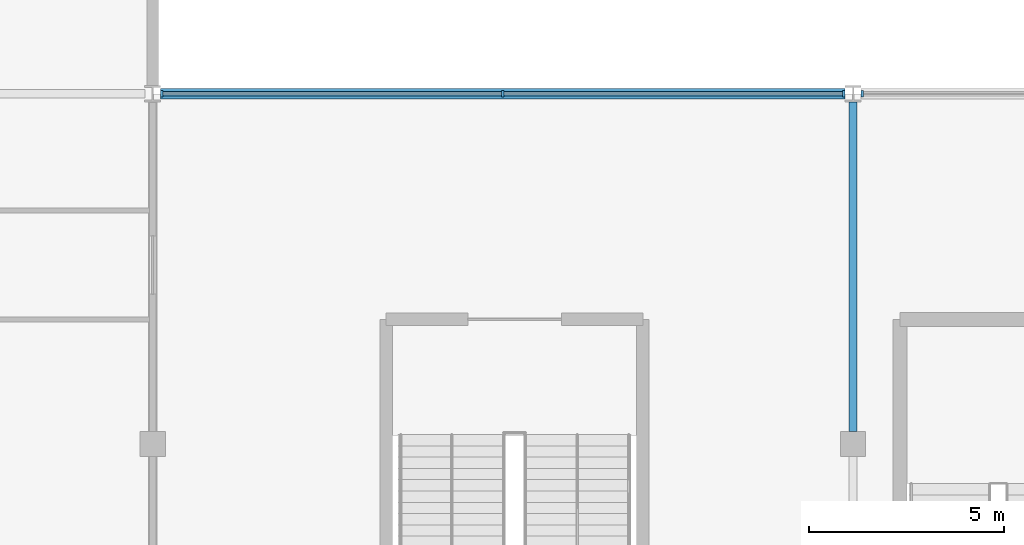
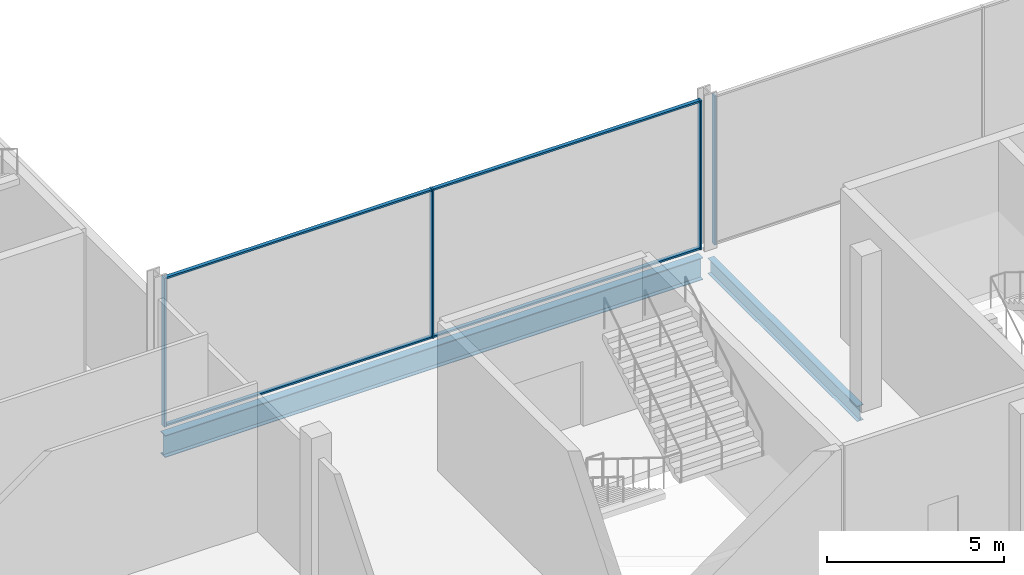
# One storey, part 17 of 111: 8 members, 2 beams, 2 elements without a shape of their own.
"""IFC4 building model written with IfcOpenShell, lengths in metres."""

import ifcopenshell
import ifcopenshell.guid

model = None  # the IFC model being written
_history = None  # IfcOwnerHistory: only IFC2X3 demands one
_inside = {}  # id of a spatial element -> (the spatial element, [elements in it])
_under = {}  # id of a project, library or spatial element -> (it, [spatial elements below it])
_declared = {}  # id of a project -> (the project, [libraries it declares])
_typed = {}  # id of a type object -> (the type object, [elements of that type])
_made_of = {}  # id of a material, layer set ... -> (it, [elements and type objects made of it])


def new_model(schema):
    """Start an empty IFC model of exactly this schema.

    Asked for "IFC4X3", IfcOpenShell would pick the latest addendum, in which some entities
    have other attributes; the version numbers below select the first issue.
    IFC2X3 requires an IfcOwnerHistory on every rooted entity: one is made here for all.
    """
    global model, _history
    if schema == "IFC4X3":
        model = ifcopenshell.file(schema_version=(4, 3, 0, 0))
    else:
        model = ifcopenshell.file(schema=schema)
    _inside.clear()
    _under.clear()
    _declared.clear()
    _typed.clear()
    _made_of.clear()
    _history = None
    if model.schema == "IFC2X3":
        org = make("IfcOrganization", Name="unknown")
        user = make(
            "IfcPersonAndOrganization",
            ThePerson=make("IfcPerson", FamilyName="unknown"),
            TheOrganization=org,
        )
        app = make(
            "IfcApplication",
            ApplicationDeveloper=org,
            Version="unknown",
            ApplicationFullName="unknown",
            ApplicationIdentifier="unknown",
        )
        _history = make(
            "IfcOwnerHistory",
            OwningUser=user,
            OwningApplication=app,
            ChangeAction="ADDED",
            CreationDate=0,
        )
    return model


def make(cls, **values):
    """One entity of the class cls with the attributes given. An attribute that is None is left unset."""
    return model.create_entity(
        cls, **{name: value for name, value in values.items() if value is not None}
    )


def rooted(cls, **values):
    """An entity with a GlobalId (a new one), such as an element, a storey or a relation."""
    return make(cls, GlobalId=ifcopenshell.guid.new(), OwnerHistory=_history, **values)


def si_unit(unit_type, name, prefix=None):
    """IfcSIUnit, for example si_unit("LENGTHUNIT", "METRE", prefix="MILLI")."""
    return make("IfcSIUnit", UnitType=unit_type, Prefix=prefix, Name=name)


def assignment(units):
    """IfcUnitAssignment: the units of a project."""
    return None if units is None else make("IfcUnitAssignment", Units=units)


def point(xyz):
    """IfcCartesianPoint."""
    return None if xyz is None else make("IfcCartesianPoint", Coordinates=xyz)


def direction(xyz):
    """IfcDirection."""
    return None if xyz is None else make("IfcDirection", DirectionRatios=xyz)


def frame(location, z_axis=None, x_axis=None):
    """IfcAxis2Placement3D, a coordinate frame: its origin and axes. An axis left out is left unset."""
    return make(
        "IfcAxis2Placement3D",
        Location=point(location),
        Axis=direction(z_axis),
        RefDirection=direction(x_axis),
    )


def frame_2d(location, x_axis=None):
    """IfcAxis2Placement2D, a coordinate frame in the plane: its origin and x axis."""
    return make(
        "IfcAxis2Placement2D", Location=point(location), RefDirection=direction(x_axis)
    )


def origin():
    """The frame at (0, 0, 0) with its axes left unset."""
    return frame((0.0, 0.0, 0.0))


def origin_2d():
    """The frame at (0, 0) in the plane with its x axis left unset."""
    return frame_2d((0.0, 0.0))


def place(relative_to, where):
    """IfcLocalPlacement: puts the frame where relative to a parent placement (None: the world)."""
    return make(
        "IfcLocalPlacement", PlacementRelTo=relative_to, RelativePlacement=where
    )


def context(
    kind, dimensions, precision=None, world=None, true_north=None, identifier=None
):
    """IfcGeometricRepresentationContext, for example the 3D "Model" context."""
    return make(
        "IfcGeometricRepresentationContext",
        ContextIdentifier=identifier,
        ContextType=kind,
        CoordinateSpaceDimension=dimensions,
        Precision=precision,
        WorldCoordinateSystem=world,
        TrueNorth=true_north,
    )


def subcontext(parent, identifier, kind, view, scale=None):
    """IfcGeometricRepresentationSubContext, for example "Body" below "Model"."""
    return make(
        "IfcGeometricRepresentationSubContext",
        ContextIdentifier=identifier,
        ContextType=kind,
        ParentContext=parent,
        TargetScale=scale,
        TargetView=view,
    )


def project(units=None, contexts=None):
    """IfcProject with its units and contexts."""
    return rooted(
        "IfcProject",
        Name="project",
        RepresentationContexts=contexts,
        UnitsInContext=assignment(units),
    )


def spatial(cls, under=None, at=None, **own):
    """A site, building, storey or space (cls), placed at a placement, below another one or the project."""
    s = rooted(cls, ObjectPlacement=at, **own)
    if under is not None:
        _under.setdefault(under.id(), (under, []))[1].append(s)
    return s


def profile(cls, at=None, kind="AREA", **sizes):
    """A parametric profile (cls). Its sizes go by their IFC names, for example OverallWidth=200.0."""
    return make(cls, ProfileType=kind, Position=at, **sizes)


def rectangle(**sizes):
    """IfcRectangleProfileDef."""
    return profile("IfcRectangleProfileDef", **sizes)


def i_section(**sizes):
    """IfcIShapeProfileDef."""
    return profile("IfcIShapeProfileDef", **sizes)


def extrude(swept, where, along, depth):
    """IfcExtrudedAreaSolid: the profile swept, set in the frame where, extruded along a direction by depth."""
    return make(
        "IfcExtrudedAreaSolid",
        SweptArea=swept,
        Position=where,
        ExtrudedDirection=direction(along),
        Depth=depth,
    )


def shape(context_of_items, identifier, shape_type, items):
    """IfcShapeRepresentation: the items that make up one representation, for example the "Body"."""
    return make(
        "IfcShapeRepresentation",
        ContextOfItems=context_of_items,
        RepresentationIdentifier=identifier,
        RepresentationType=shape_type,
        Items=items,
    )


def material(Name=None, Category=None):
    """IfcMaterial."""
    return make("IfcMaterial", Name=Name, Category=Category)


def layer(
    of_material, thickness, ventilated=None, Name=None, Category=None, Priority=None
):
    """IfcMaterialLayer: one layer of a wall or slab, of a material (None: an air gap)."""
    return make(
        "IfcMaterialLayer",
        Material=of_material,
        LayerThickness=thickness,
        IsVentilated=ventilated,
        Name=Name,
        Category=Category,
        Priority=Priority,
    )


def layer_set(layers, Name=None):
    """IfcMaterialLayerSet."""
    return make("IfcMaterialLayerSet", MaterialLayers=layers, LayerSetName=Name)


def material_profile(
    of_material, cross_section, Name=None, Category=None, Priority=None
):
    """IfcMaterialProfile: a cross section and its material."""
    return make(
        "IfcMaterialProfile",
        Name=Name,
        Material=of_material,
        Profile=cross_section,
        Priority=Priority,
        Category=Category,
    )


def profile_set(profiles, Name=None, composite=None):
    """IfcMaterialProfileSet."""
    return make(
        "IfcMaterialProfileSet",
        Name=Name,
        MaterialProfiles=profiles,
        CompositeProfile=composite,
    )


def made_of(thing, what):
    """Note that an element or type object is made of a material, layer set ...; save() writes the relation."""
    if what is not None:
        _made_of.setdefault(what.id(), (what, []))[1].append(thing)
    return thing


def type_object(cls, material=None, **own):
    """A type object (cls), such as IfcWallType, which elements share."""
    return made_of(rooted(cls, **own), material)


def element(
    cls,
    number,
    at=None,
    inside=None,
    cuts=None,
    type_object=None,
    material=None,
    context=None,
    identifier="Body",
    shape_type=None,
    held_by="IfcProductDefinitionShape",
    body=None,
    shapes=None,
    **own,
):
    """One element of the class cls, such as IfcWall. Its Tag is "e" and its number.

    at: its placement. inside: the storey or other place that contains it. cuts: it is an
    opening in that element (IfcRelVoidsElement). A single representation is given by context,
    identifier, shape_type and body (its items); several are given by shapes. held_by: the class
    of the entity that holds the representations. save() writes the other relations.
    """
    e = rooted(cls, Tag="e%d" % number, ObjectPlacement=at, **own)
    if body is not None:
        shapes = [shape(context, identifier, shape_type, body)]
    if shapes is not None:
        e.Representation = make(held_by, Representations=shapes)
    if inside is not None:
        _inside.setdefault(inside.id(), (inside, []))[1].append(e)
    if cuts is not None:
        rooted(
            "IfcRelVoidsElement", RelatingBuildingElement=cuts, RelatedOpeningElement=e
        )
    if type_object is not None:
        _typed.setdefault(type_object.id(), (type_object, []))[1].append(e)
    return made_of(e, material)


def aggregate(whole, parts):
    """IfcRelAggregates: a whole, such as a stair, and the parts it consists of."""
    return rooted("IfcRelAggregates", RelatingObject=whole, RelatedObjects=parts)


def save(model, path):
    """Write the relations noted so far, then the file.

    IfcRelAggregates (storeys below a building ...), IfcRelContainedInSpatialStructure (elements
    in a storey), IfcRelDefinesByType, IfcRelAssociatesMaterial and IfcRelDeclares: one each for
    every whole, place, type object, material and project.
    """
    for whole, parts in _under.values():
        aggregate(whole, parts)
    for where, things in _inside.values():
        rooted(
            "IfcRelContainedInSpatialStructure",
            RelatedElements=things,
            RelatingStructure=where,
        )
    for kind, things in _typed.values():
        rooted("IfcRelDefinesByType", RelatedObjects=things, RelatingType=kind)
    for what, things in _made_of.values():
        rooted("IfcRelAssociatesMaterial", RelatedObjects=things, RelatingMaterial=what)
    for by, libraries in _declared.values():
        rooted("IfcRelDeclares", RelatingContext=by, RelatedDefinitions=libraries)
    model.write(path)


model = new_model("IFC4")

# Units and contexts
model_context = context("Model", 3, precision=1e-05, world=origin(), true_north=direction((0.0, 1.0)))
body_context = subcontext(model_context, "Body", "Model", "MODEL_VIEW")
ifc_project = project(units=[si_unit("LENGTHUNIT", "METRE"), si_unit("AREAUNIT", "SQUARE_METRE"), si_unit("VOLUMEUNIT", "CUBIC_METRE"), si_unit("PLANEANGLEUNIT", "RADIAN"), si_unit("MASSUNIT", "GRAM", prefix="KILO")], contexts=[model_context])

# Site, building, storey
site_placement = place(None, origin())
site = spatial("IfcSite", under=ifc_project, at=site_placement, CompositionType="ELEMENT")
building_placement = place(site_placement, origin())
building = spatial("IfcBuilding", under=site, at=building_placement, Name="Kisiwana Market Hall", CompositionType="ELEMENT")
storey_placement = place(building_placement, frame((0.0, 0.0, 11.39990234375)))
storey = spatial("IfcBuildingStorey", under=building, at=storey_placement, Name="L02", CompositionType="ELEMENT", Elevation=11.39990234375)

# Beams
ifc_material_1 = material(Name="Steel S355", Category="steel")
ifc_material_profile_1 = material_profile(ifc_material_1, i_section(OverallWidth=0.209228515625, OverallDepth=0.533203125, WebThickness=0.010009765625, FlangeThickness=0.015625, at=origin_2d()), Name="UB 533x210x92")
ifc_profile_set_1 = profile_set([ifc_material_profile_1], Name="Steel S355")
beam_type_1 = type_object("IfcBeamType", Name="BM-GIRD-UB533", PredefinedType="BEAM", material=ifc_profile_set_1)
beam_1_placement = place(storey_placement, frame((63.0, 27.321044921875, -0.516357421875), z_axis=(0.0, 1.0, 0.0), x_axis=(-1.0, 0.0, 0.0)))
element("IfcBeam", 1, at=beam_1_placement, inside=storey, type_object=beam_type_1, Name="Primary girder B-0633", PredefinedType="BEAM", context=body_context, shape_type="SweptSolid", body=[
    extrude(i_section(OverallWidth=0.209228515625, OverallDepth=0.533203125, WebThickness=0.010009765625, FlangeThickness=0.015625, at=origin_2d()), origin(), (0.0, 0.0, 1.0), 8.465576171875),
])
ifc_material_2 = material(Name="Steel S355", Category="steel")
ifc_material_profile_2 = material_profile(ifc_material_2, i_section(OverallWidth=0.2666015625, OverallDepth=0.76220703125, WebThickness=0.014404296875, FlangeThickness=0.021484375, at=origin_2d()), Name="UB 762x267x173")
ifc_profile_set_2 = profile_set([ifc_material_profile_2], Name="Steel S355")
beam_type_2 = type_object("IfcBeamType", Name="BM-GIRD-UB762", PredefinedType="BEAM", material=ifc_profile_set_2)
beam_2_placement = place(storey_placement, frame((45.201904296875, 36.0, -0.631103515625), z_axis=(1.0, 0.0, 0.0), x_axis=(0.0, 1.0, 0.0)))
element("IfcBeam", 2, at=beam_2_placement, inside=storey, type_object=beam_type_2, Name="Floor beam B-0759", PredefinedType="BEAM", context=body_context, shape_type="SweptSolid", body=[
    extrude(i_section(OverallWidth=0.2666015625, OverallDepth=0.76220703125, WebThickness=0.014404296875, FlangeThickness=0.021484375, at=origin_2d()), origin(), (0.0, 0.0, 1.0), 17.59619140625),
])

# Curtain wall, members
ifc_material_3 = material(Name="Double-glazed solar-control low-E IGU", Category="glass")
ifc_layer = layer(ifc_material_3, 0.159912109375)
ifc_layer_set = layer_set([ifc_layer], Name="CW-GLD-E-7200")
curtain_wall_type = type_object("IfcCurtainWallType", Name="CW-GLD-E-7200", PredefinedType="USERDEFINED", material=ifc_layer_set)
curtain_wall_1_placement = place(storey_placement, origin())
curtain_wall_1 = element("IfcCurtainWall", 3, at=curtain_wall_1_placement, inside=storey, type_object=curtain_wall_type, Name="Unitised curtain wall CW-063 (L02)", ObjectType="UNITISED CURTAIN WALL", PredefinedType="USERDEFINED")
ifc_material_4 = material(Name="Aluminium alloy 6063-T6", Category="aluminium")
ifc_material_profile_3 = material_profile(ifc_material_4, rectangle(XDim=0.06005859375, YDim=0.159912109375, at=origin_2d()), Name="ALU MULLION 60x160")
ifc_profile_set_3 = profile_set([ifc_material_profile_3], Name="Aluminium alloy 6063-T6")
member_type_1 = type_object("IfcMemberType", Name="CW-MULL-60x160", PredefinedType="MULLION", material=ifc_profile_set_3)
member_1_placement = place(storey_placement, frame((45.236083984375, 36.0, 0.0), z_axis=(0.0, 0.0, 1.0), x_axis=(1.0, 0.0, 0.0)))
member_1 = element("IfcMember", 4, at=member_1_placement, type_object=member_type_1, Name="CW-063 mullion 1", PredefinedType="MULLION", context=body_context, shape_type="SweptSolid", body=[
    extrude(rectangle(XDim=0.06005859375, YDim=0.159912109375, at=origin_2d()), origin(), (0.0, 0.0, 1.0), 5.150146484375),
])
member_2_placement = place(storey_placement, frame((54.0, 36.0, 0.0), z_axis=(0.0, 0.0, 1.0), x_axis=(1.0, 0.0, 0.0)))
member_2 = element("IfcMember", 5, at=member_2_placement, type_object=member_type_1, Name="CW-063 mullion 2", PredefinedType="MULLION", context=body_context, shape_type="SweptSolid", body=[
    extrude(rectangle(XDim=0.06005859375, YDim=0.159912109375, at=origin_2d()), origin(), (0.0, 0.0, 1.0), 5.150146484375),
])
member_3_placement = place(storey_placement, frame((62.763916015625, 36.0, 0.0), z_axis=(0.0, 0.0, 1.0), x_axis=(1.0, 0.0, 0.0)))
member_3 = element("IfcMember", 6, at=member_3_placement, type_object=member_type_1, Name="CW-063 mullion 3", PredefinedType="MULLION", context=body_context, shape_type="SweptSolid", body=[
    extrude(rectangle(XDim=0.06005859375, YDim=0.159912109375, at=origin_2d()), origin(), (0.0, 0.0, 1.0), 5.150146484375),
])

# Curtain wall, member
curtain_wall_2_placement = place(storey_placement, origin())
curtain_wall_2 = element("IfcCurtainWall", 7, at=curtain_wall_2_placement, inside=storey, type_object=curtain_wall_type, Name="Unitised curtain wall CW-064 (L02)", ObjectType="UNITISED CURTAIN WALL", PredefinedType="USERDEFINED")
member_4_placement = place(storey_placement, frame((63.236083984375, 36.0, 0.0), z_axis=(0.0, 0.0, 1.0), x_axis=(1.0, 0.0, 0.0)))
member_4 = element("IfcMember", 8, at=member_4_placement, type_object=member_type_1, Name="CW-064 mullion 1", PredefinedType="MULLION", context=body_context, shape_type="SweptSolid", body=[
    extrude(rectangle(XDim=0.06005859375, YDim=0.159912109375, at=origin_2d()), origin(), (0.0, 0.0, 1.0), 5.150146484375),
])
aggregate(curtain_wall_2, [member_4])

# Member
ifc_material_5 = material(Name="Aluminium alloy 6063-T6", Category="aluminium")
ifc_material_profile_4 = material_profile(ifc_material_5, rectangle(XDim=0.1201171875, YDim=0.06005859375, at=origin_2d()), Name="ALU TRANSOM 60x120")
ifc_profile_set_4 = profile_set([ifc_material_profile_4], Name="Aluminium alloy 6063-T6")
member_type_2 = type_object("IfcMemberType", Name="CW-TRAN-60x120", PredefinedType="USERDEFINED", material=ifc_profile_set_4)
member_5_placement = place(storey_placement, frame((45.26611328125, 36.0, 0.030029296875), z_axis=(1.0, 0.0, 0.0), x_axis=(0.0, 1.0, 0.0)))
member_5 = element("IfcMember", 9, at=member_5_placement, type_object=member_type_2, Name="CW-063 transom 1.1", ObjectType="TRANSOM", PredefinedType="USERDEFINED", context=body_context, shape_type="SweptSolid", body=[
    extrude(rectangle(XDim=0.1201171875, YDim=0.06005859375, at=origin_2d()), origin(), (0.0, 0.0, 1.0), 8.703857421875),
])

member_6_placement = place(storey_placement, frame((45.26611328125, 36.0, 5.1201171875), z_axis=(1.0, 0.0, 0.0), x_axis=(0.0, 1.0, 0.0)))
member_6 = element("IfcMember", 10, at=member_6_placement, type_object=member_type_2, Name="CW-063 transom 1.2", ObjectType="TRANSOM", PredefinedType="USERDEFINED", context=body_context, shape_type="SweptSolid", body=[
    extrude(rectangle(XDim=0.1201171875, YDim=0.06005859375, at=origin_2d()), origin(), (0.0, 0.0, 1.0), 8.703857421875),
])

member_7_placement = place(storey_placement, frame((54.030029296875, 36.0, 0.030029296875), z_axis=(1.0, 0.0, 0.0), x_axis=(0.0, 1.0, 0.0)))
member_7 = element("IfcMember", 11, at=member_7_placement, type_object=member_type_2, Name="CW-063 transom 2.1", ObjectType="TRANSOM", PredefinedType="USERDEFINED", context=body_context, shape_type="SweptSolid", body=[
    extrude(rectangle(XDim=0.1201171875, YDim=0.06005859375, at=origin_2d()), origin(), (0.0, 0.0, 1.0), 8.703857421875),
])

member_8_placement = place(storey_placement, frame((54.030029296875, 36.0, 5.1201171875), z_axis=(1.0, 0.0, 0.0), x_axis=(0.0, 1.0, 0.0)))
member_8 = element("IfcMember", 12, at=member_8_placement, type_object=member_type_2, Name="CW-063 transom 2.2", ObjectType="TRANSOM", PredefinedType="USERDEFINED", context=body_context, shape_type="SweptSolid", body=[
    extrude(rectangle(XDim=0.1201171875, YDim=0.06005859375, at=origin_2d()), origin(), (0.0, 0.0, 1.0), 8.703857421875),
])

aggregate(curtain_wall_1, [member_1, member_2, member_3, member_5, member_6, member_7, member_8])

save(model, "model.ifc")
